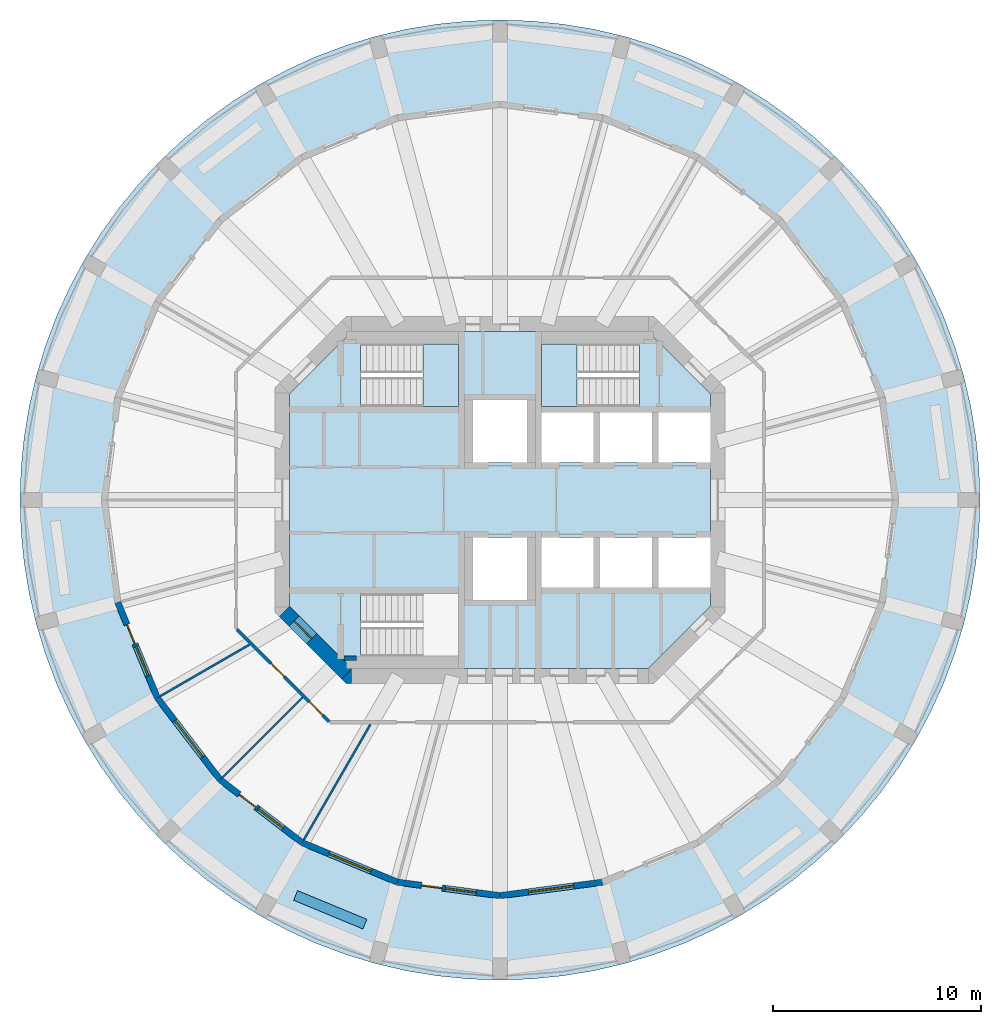
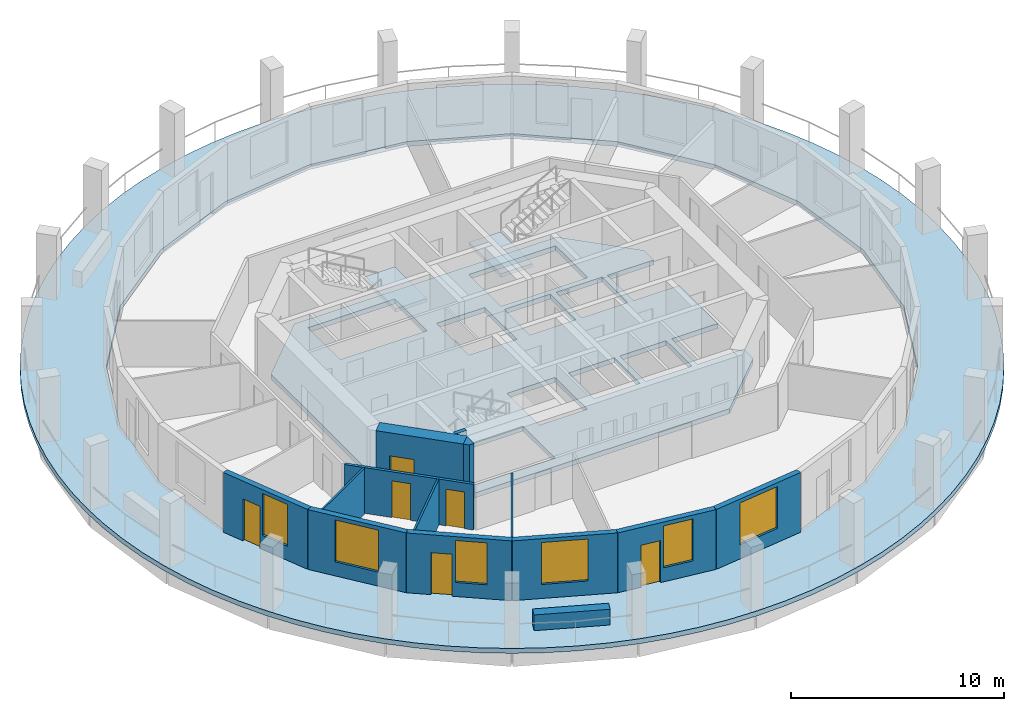
# One storey, part 2 of 9: 14 walls, 6 doors, 6 windows, 4 slabs, 12 openings, 2 elements without a shape of their own.
"""IFC4 building model written with IfcOpenShell, lengths in metres."""

from ifc_helpers import new_model, si_unit, direction, frame, frame_2d, origin, place, context, subcontext, project, spatial, polyline, rectangle, outline, extrude, material, layer, layer_set, type_object, element, fill, aggregate, save


model = new_model("IFC4")

# Units and contexts
model_context = context("Model", 3, precision=1e-05, world=origin(), true_north=direction((0.0, 1.0)))
body_context = subcontext(model_context, "Body", "Model", "MODEL_VIEW")
ifc_project = project(units=[si_unit("LENGTHUNIT", "METRE"), si_unit("AREAUNIT", "SQUARE_METRE"), si_unit("VOLUMEUNIT", "CUBIC_METRE"), si_unit("PLANEANGLEUNIT", "RADIAN"), si_unit("MASSUNIT", "GRAM", prefix="KILO")], contexts=[model_context])

# Site, building, storey
site_placement = place(None, origin())
site = spatial("IfcSite", under=ifc_project, at=site_placement, CompositionType="ELEMENT")
building_placement = place(site_placement, origin())
building = spatial("IfcBuilding", under=site, at=building_placement, Name="Torre Triforio", CompositionType="ELEMENT")
storey_placement = place(building_placement, frame((0.0, 0.0, 172.699951171875)))
storey = spatial("IfcBuildingStorey", under=building, at=storey_placement, Name="L39", CompositionType="ELEMENT", Elevation=172.699951171875)

# Slabs
ifc_material_1 = material(Name="Concrete C50", Category="concrete")
ifc_layer_1 = layer(ifc_material_1, 0.280029296875)
ifc_layer_set_1 = layer_set([ifc_layer_1], Name="Concrete C50")
slab_type_1 = type_object("IfcSlabType", Name="Core floor slab 280 mm C50 REI 120", PredefinedType="FLOOR", material=ifc_layer_set_1)
slab_1_placement = place(storey_placement, frame((0.0, 0.0, -0.280029296875)))
element("IfcSlab", 1, at=slab_1_placement, inside=storey, type_object=slab_type_1, Name="Core floor slab", PredefinedType="FLOOR", context=body_context, shape_type="SweptSolid", body=[
    extrude(outline(polyline([(10.10009765625, -5.10009765625), (7.10009765625, -8.10009765625), (-7.10009765625, -8.10009765625), (-10.10009765625, -5.10009765625), (-10.10009765625, 5.10009765625), (-7.10009765625, 8.10009765625), (7.10009765625, 8.10009765625), (10.10009765625, 5.10009765625), (10.10009765625, 4.199951171875), (7.60009765625, 4.199951171875), (7.60009765625, 1.800048828125), (10.10009765625, 1.800048828125), (10.10009765625, -1.800048828125), (7.60009765625, -1.800048828125), (7.60009765625, -4.199951171875), (10.10009765625, -4.199951171875), (10.10009765625, -5.10009765625)]), holes=[polyline([(-6.696044921875, -4.5), (-6.696044921875, -7.5), (-2.0, -7.5), (-2.0, -4.5), (-6.696044921875, -4.5)]), polyline([(-1.300048828125, -1.800048828125), (-1.300048828125, -4.800048828125), (1.300048828125, -4.800048828125), (1.300048828125, -1.800048828125), (-1.300048828125, -1.800048828125)]), polyline([(2.0, -1.800048828125), (2.0, -4.199951171875), (4.5, -4.199951171875), (4.5, -1.800048828125), (2.0, -1.800048828125)]), polyline([(4.5, 4.199951171875), (2.0, 4.199951171875), (2.0, 1.800048828125), (4.5, 1.800048828125), (4.5, 4.199951171875)]), polyline([(1.300048828125, 4.800048828125), (-1.300048828125, 4.800048828125), (-1.300048828125, 1.800048828125), (1.300048828125, 1.800048828125), (1.300048828125, 4.800048828125)]), polyline([(-6.696044921875, 7.5), (-6.696044921875, 4.5), (-2.0, 4.5), (-2.0, 7.5), (-6.696044921875, 7.5)]), polyline([(7.300048828125, -1.800048828125), (4.800048828125, -1.800048828125), (4.800048828125, -4.199951171875), (7.300048828125, -4.199951171875), (7.300048828125, -1.800048828125)]), polyline([(4.800048828125, 4.199951171875), (4.800048828125, 1.800048828125), (7.300048828125, 1.800048828125), (7.300048828125, 4.199951171875), (4.800048828125, 4.199951171875)]), polyline([(6.696044921875, 7.5), (2.0, 7.5), (2.0, 4.5), (6.696044921875, 4.5), (6.696044921875, 7.5)])]), origin(), (0.0, 0.0, 1.0), 0.280029296875),
])
ifc_material_2 = material(Name="Concrete C40", Category="concrete")
ifc_layer_2 = layer(ifc_material_2, 0.280029296875)
ifc_layer_set_2 = layer_set([ifc_layer_2], Name="Concrete C40")
slab_type_2 = type_object("IfcSlabType", Name="Loggia slab 280 C40", PredefinedType="FLOOR", material=ifc_layer_set_2)
slab_2_placement = place(storey_placement, frame((0.0, 0.0, -0.280029296875)))
element("IfcSlab", 2, at=slab_2_placement, inside=storey, type_object=slab_type_2, Name="SL.L39.LG", PredefinedType="FLOOR", context=body_context, shape_type="SweptSolid", body=[
    extrude(outline(polyline([(23.000732421875, -1.507568359375), (23.050048828125, 0.0), (23.000732421875, 1.507568359375), (22.852783203125, 3.008544921875), (22.607177734375, 4.496826171875), (22.2646484375, 5.9658203125), (21.82666015625, 7.4091796875), (21.29541015625, 8.82080078125), (20.6728515625, 10.19482421875), (19.9619140625, 11.52490234375), (19.165283203125, 12.805908203125), (18.286865234375, 14.031982421875), (17.329833984375, 15.197998046875), (16.298828125, 16.298828125), (15.197998046875, 17.329833984375), (14.031982421875, 18.286865234375), (12.805908203125, 19.165283203125), (11.52490234375, 19.9619140625), (10.19482421875, 20.6728515625), (8.82080078125, 21.29541015625), (7.4091796875, 21.82666015625), (5.9658203125, 22.2646484375), (4.496826171875, 22.607177734375), (3.008544921875, 22.852783203125), (1.507568359375, 23.000732421875), (0.0, 23.050048828125), (-1.507568359375, 23.000732421875), (-3.008544921875, 22.852783203125), (-4.496826171875, 22.607177734375), (-5.9658203125, 22.2646484375), (-7.4091796875, 21.82666015625), (-8.82080078125, 21.29541015625), (-10.19482421875, 20.6728515625), (-11.52490234375, 19.9619140625), (-12.805908203125, 19.165283203125), (-14.031982421875, 18.286865234375), (-15.197998046875, 17.329833984375), (-16.298828125, 16.298828125), (-17.329833984375, 15.197998046875), (-18.286865234375, 14.031982421875), (-19.165283203125, 12.805908203125), (-19.9619140625, 11.52490234375), (-20.6728515625, 10.19482421875), (-21.29541015625, 8.82080078125), (-21.82666015625, 7.4091796875), (-22.2646484375, 5.9658203125), (-22.607177734375, 4.496826171875), (-22.852783203125, 3.008544921875), (-23.000732421875, 1.507568359375), (-23.050048828125, 0.0), (-23.000732421875, -1.507568359375), (-22.852783203125, -3.008544921875), (-22.607177734375, -4.496826171875), (-22.2646484375, -5.9658203125), (-21.82666015625, -7.4091796875), (-21.29541015625, -8.82080078125), (-20.6728515625, -10.19482421875), (-19.9619140625, -11.52490234375), (-19.165283203125, -12.805908203125), (-18.286865234375, -14.031982421875), (-17.329833984375, -15.197998046875), (-16.298828125, -16.298828125), (-15.197998046875, -17.329833984375), (-14.031982421875, -18.286865234375), (-12.805908203125, -19.165283203125), (-11.52490234375, -19.9619140625), (-10.19482421875, -20.6728515625), (-8.82080078125, -21.29541015625), (-7.4091796875, -21.82666015625), (-5.9658203125, -22.2646484375), (-4.496826171875, -22.607177734375), (-3.008544921875, -22.852783203125), (-1.507568359375, -23.000732421875), (0.0, -23.050048828125), (1.507568359375, -23.000732421875), (3.008544921875, -22.852783203125), (4.496826171875, -22.607177734375), (5.9658203125, -22.2646484375), (7.4091796875, -21.82666015625), (8.82080078125, -21.29541015625), (10.19482421875, -20.6728515625), (11.52490234375, -19.9619140625), (12.805908203125, -19.165283203125), (14.031982421875, -18.286865234375), (15.197998046875, -17.329833984375), (16.298828125, -16.298828125), (17.329833984375, -15.197998046875), (18.286865234375, -14.031982421875), (19.165283203125, -12.805908203125), (19.9619140625, -11.52490234375), (20.6728515625, -10.19482421875), (21.29541015625, -8.82080078125), (21.82666015625, -7.4091796875), (22.2646484375, -5.9658203125), (22.607177734375, -4.496826171875), (22.852783203125, -3.008544921875), (23.000732421875, -1.507568359375)]), holes=[polyline([(18.3525390625, 4.91748046875), (19.0, 0.0), (18.3525390625, -4.91748046875), (16.45458984375, -9.5), (13.43505859375, -13.43505859375), (9.5, -16.45458984375), (4.91748046875, -18.3525390625), (0.0, -19.0), (-4.91748046875, -18.3525390625), (-9.5, -16.45458984375), (-13.43505859375, -13.43505859375), (-16.45458984375, -9.5), (-18.3525390625, -4.91748046875), (-19.0, 0.0), (-18.3525390625, 4.91748046875), (-16.45458984375, 9.5), (-13.43505859375, 13.43505859375), (-9.5, 16.45458984375), (-4.91748046875, 18.3525390625), (0.0, 19.0), (4.91748046875, 18.3525390625), (9.5, 16.45458984375), (13.43505859375, 13.43505859375), (16.45458984375, 9.5), (18.3525390625, 4.91748046875)])]), origin(), (0.0, 0.0, 1.0), 0.280029296875),
])

# Stair, slab
stair_type = type_object("IfcStairType", Name="STAIR HALF-TURN", PredefinedType="HALF_TURN_STAIR", material=ifc_material_2)
stair_1_placement = place(storey_placement, origin())
stair_1 = element("IfcStair", 3, at=stair_1_placement, inside=storey, type_object=stair_type, Name="Exit stair 1", PredefinedType="HALF_TURN_STAIR")
ifc_layer_3 = layer(ifc_material_2, 0.199951171875)
ifc_layer_set_3 = layer_set([ifc_layer_3], Name="Concrete C40")
slab_type_3 = type_object("IfcSlabType", Name="STAIR LANDING 200", PredefinedType="LANDING", material=ifc_layer_set_3)
slab_3_placement = place(storey_placement, frame((0.0, 0.0, 1.650146484375)))
slab_3 = element("IfcSlab", 4, at=slab_3_placement, type_object=slab_type_3, Name="ST1 landing 1", PredefinedType="LANDING", context=body_context, shape_type="SweptSolid", body=[
    extrude(outline(polyline([(-2.0, 4.5), (-2.0, 7.5), (-3.699951171875, 7.5), (-3.699951171875, 4.5), (-2.0, 4.5)])), origin(), (0.0, 0.0, 1.0), 0.199951171875),
])
aggregate(stair_1, [slab_3])

stair_2_placement = place(storey_placement, origin())
stair_2 = element("IfcStair", 5, at=stair_2_placement, inside=storey, type_object=stair_type, Name="Exit stair 2", PredefinedType="HALF_TURN_STAIR")
slab_4_placement = place(storey_placement, frame((0.0, 0.0, 1.650146484375)))
slab_4 = element("IfcSlab", 6, at=slab_4_placement, type_object=slab_type_3, Name="ST2 landing 1", PredefinedType="LANDING", context=body_context, shape_type="SweptSolid", body=[
    extrude(outline(polyline([(3.699951171875, 4.5), (3.699951171875, 7.5), (2.0, 7.5), (2.0, 4.5), (3.699951171875, 4.5)])), origin(), (0.0, 0.0, 1.0), 0.199951171875),
])
aggregate(stair_2, [slab_4])

# Wall, opening, door
ifc_layer_4 = layer(ifc_material_1, 0.699951171875)
ifc_layer_set_4 = layer_set([ifc_layer_4], Name="Concrete C50")
wall_type_1 = type_object("IfcWallType", Name="Core wall 700 mm C50 EI 120", PredefinedType="SHEAR", material=ifc_layer_set_4)
wall_1_placement = place(storey_placement, frame((-7.347412109375, -8.347412109375, -0.280029296875), z_axis=(0.0, 0.0, 1.0), x_axis=(-0.707106781187, 0.707106781187, 0.0)))
wall_1 = element("IfcWall", 7, at=wall_1_placement, inside=storey, type_object=wall_type_1, Name="Core wall", PredefinedType="SHEAR", context=body_context, shape_type="SweptSolid", body=[
    extrude(rectangle(XDim=4.24267578125, YDim=0.699951171875, at=frame_2d((2.121337890625, 0.0))), origin(), (0.0, 0.0, 1.0), 3.7001953125),
])
opening_1_placement = place(wall_1_placement, frame((2.392578125, 0.0, 0.280029296875)))
opening_1 = element("IfcOpeningElement", 8, at=opening_1_placement, cuts=wall_1, Name="Opening ST3-EXIT", PredefinedType="OPENING", context=body_context, shape_type="SweptSolid", body=[
    extrude(rectangle(XDim=1.199951171875, YDim=2.10009765625, at=frame_2d((0.60009765625, 1.050048828125))), frame((0.0, 0.35986328125, 0.0), z_axis=(0.0, -1.0, 0.0), x_axis=(1.0, 0.0, 0.0)), (0.0, 0.0, 1.0), 0.719970703125),
])
ifc_material_3 = material(Name="Hollow metal fire door leaf")
door_type_1 = type_object("IfcDoorType", Name="Stair lobby door 1200 x 2100 EI 60", OperationType="NOTDEFINED", PredefinedType="DOOR", material=ifc_material_3)
door_1_placement = place(opening_1_placement, origin())
door_1 = element("IfcDoor", 9, at=door_1_placement, inside=storey, type_object=door_type_1, Name="Core door ST3-EXIT", OperationType="SINGLE_SWING_RIGHT", OverallHeight=2.10009765625, OverallWidth=1.199951171875, PredefinedType="DOOR", context=body_context, shape_type="SweptSolid", body=[
    extrude(rectangle(XDim=1.199951171875, YDim=2.10009765625, at=frame_2d((0.60009765625, 1.050048828125))), frame((0.0, 0.02490234375, 0.0), z_axis=(0.0, -1.0, 0.0), x_axis=(1.0, 0.0, 0.0)), (0.0, 0.0, 1.0), 0.050048828125),
])
fill(opening_1, door_1)

# Wall
wall_2_placement = place(storey_placement, frame((0.0, 0.0, -0.280029296875)))
element("IfcWall", 10, at=wall_2_placement, inside=storey, type_object=wall_type_1, Name="Core wall", PredefinedType="SHEAR", context=body_context, shape_type="SweptSolid", body=[
    extrude(outline(polyline([(-7.389892578125, -8.800048828125), (-7.594970703125, -8.594970703125), (-7.594970703125, -8.594970703125), (-7.594970703125, -8.594970703125), (-7.1298828125, -8.1298828125), (-7.1298828125, -8.800048828125), (-7.1298828125, -8.800048828125), (-7.389892578125, -8.800048828125)])), origin(), (0.0, 0.0, 1.0), 3.7001953125),
])

# Wall, openings, doors
ifc_material_4 = material(Name="Plasterboard on metal studs")
ifc_layer_5 = layer(ifc_material_4, 0.14990234375)
ifc_layer_set_5 = layer_set([ifc_layer_5], Name="Plasterboard on metal studs")
wall_type_2 = type_object("IfcWallType", Name="Corridor and tenancy wall 150 mm EI 60", PredefinedType="PARTITIONING", material=ifc_layer_set_5)
wall_3_placement = place(storey_placement, frame((-8.20361328125, -10.637939453125, 0.0), z_axis=(0.0, 0.0, 1.0), x_axis=(-0.707106781187, 0.707106781187, 0.0)))
wall_3 = element("IfcWall", 11, at=wall_3_placement, inside=storey, type_object=wall_type_2, Name="Partition 3", PredefinedType="PARTITIONING", context=body_context, shape_type="SweptSolid", body=[
    extrude(rectangle(XDim=6.27099609375, YDim=0.14990234375, at=frame_2d((3.135498046875, 0.0))), origin(), (0.0, 0.0, 1.0), 2.6201171875),
])
opening_2_placement = place(wall_3_placement, frame((3.056884765625, 0.0, 0.0)))
opening_2 = element("IfcOpeningElement", 12, at=opening_2_placement, cuts=wall_3, Name="Opening O2-06", PredefinedType="OPENING", context=body_context, shape_type="SweptSolid", body=[
    extrude(rectangle(XDim=0.89990234375, YDim=2.10009765625, at=frame_2d((0.449951171875, 1.050048828125))), frame((0.0, 0.0849609375, 0.0), z_axis=(0.0, -1.0, 0.0), x_axis=(1.0, 0.0, 0.0)), (0.0, 0.0, 1.0), 0.169921875),
])
opening_3_placement = place(wall_3_placement, frame((0.435546875, 0.0, 0.0)))
opening_3 = element("IfcOpeningElement", 13, at=opening_3_placement, cuts=wall_3, Name="Opening O2-07", PredefinedType="OPENING", context=body_context, shape_type="SweptSolid", body=[
    extrude(rectangle(XDim=0.89990234375, YDim=2.10009765625, at=frame_2d((0.449951171875, 1.050048828125))), frame((0.0, 0.0849609375, 0.0), z_axis=(0.0, -1.0, 0.0), x_axis=(1.0, 0.0, 0.0)), (0.0, 0.0, 1.0), 0.169921875),
])
ifc_material_5 = material(Name="Timber", Category="wood")
door_type_2 = type_object("IfcDoorType", Name="Door 900 x 2100 single leaf EI 30", OperationType="NOTDEFINED", PredefinedType="DOOR", material=ifc_material_5)
door_2_placement = place(opening_2_placement, origin())
door_2 = element("IfcDoor", 14, at=door_2_placement, inside=storey, type_object=door_type_2, Name="Door O2-06", OperationType="SINGLE_SWING_LEFT", OverallHeight=2.10009765625, OverallWidth=0.89990234375, PredefinedType="DOOR", context=body_context, shape_type="SweptSolid", body=[
    extrude(rectangle(XDim=0.89990234375, YDim=2.10009765625, at=frame_2d((0.449951171875, 1.050048828125))), frame((0.0, 0.02490234375, 0.0), z_axis=(0.0, -1.0, 0.0), x_axis=(1.0, 0.0, 0.0)), (0.0, 0.0, 1.0), 0.050048828125),
])
fill(opening_2, door_2)
door_3_placement = place(opening_3_placement, origin())
door_3 = element("IfcDoor", 15, at=door_3_placement, inside=storey, type_object=door_type_2, Name="Door O2-07", OperationType="SINGLE_SWING_LEFT", OverallHeight=2.10009765625, OverallWidth=0.89990234375, PredefinedType="DOOR", context=body_context, shape_type="SweptSolid", body=[
    extrude(rectangle(XDim=0.89990234375, YDim=2.10009765625, at=frame_2d((0.449951171875, 1.050048828125))), frame((0.0, 0.02490234375, 0.0), z_axis=(0.0, -1.0, 0.0), x_axis=(1.0, 0.0, 0.0)), (0.0, 0.0, 1.0), 0.050048828125),
])
fill(opening_3, door_3)

# Walls
ifc_layer_6 = layer(ifc_material_4, 0.10009765625)
ifc_layer_set_6 = layer_set([ifc_layer_6], Name="Plasterboard on metal studs")
wall_type_3 = type_object("IfcWallType", Name="Partition 100 mm board on metal studs", PredefinedType="PARTITIONING", material=ifc_layer_set_6)
wall_4_placement = place(storey_placement, frame((-12.025146484375, -6.94287109375, 0.0), z_axis=(0.0, 0.0, 1.0), x_axis=(-0.866025463095, -0.499999897272, 0.0)))
element("IfcWall", 16, at=wall_4_placement, inside=storey, type_object=wall_type_3, Name="Partition 21", PredefinedType="PARTITIONING", context=body_context, shape_type="SweptSolid", body=[
    extrude(rectangle(XDim=4.951171875, YDim=0.10009765625, at=frame_2d((2.4755859375, 0.0))), origin(), (0.0, 0.0, 1.0), 2.6201171875),
])
wall_5_placement = place(storey_placement, frame((-9.473876953125, -9.473876953125, 0.0), z_axis=(0.0, 0.0, 1.0), x_axis=(-0.707106781187, -0.707106781187, 0.0)))
element("IfcWall", 17, at=wall_5_placement, inside=storey, type_object=wall_type_3, Name="Partition 22", PredefinedType="PARTITIONING", context=body_context, shape_type="SweptSolid", body=[
    extrude(rectangle(XDim=5.438720703125, YDim=0.10009765625, at=frame_2d((2.71923828125, 0.0))), origin(), (0.0, 0.0, 1.0), 2.6201171875),
])
wall_6_placement = place(storey_placement, frame((-6.220703125, -10.774658203125, 0.0), z_axis=(0.0, 0.0, 1.0), x_axis=(-0.500023166934, -0.866012027936, 0.0)))
element("IfcWall", 18, at=wall_6_placement, inside=storey, type_object=wall_type_3, Name="Partition 23", PredefinedType="PARTITIONING", context=body_context, shape_type="SweptSolid", body=[
    extrude(rectangle(XDim=6.395263671875, YDim=0.10009765625, at=frame_2d((3.19775390625, 0.0))), origin(), (0.0, 0.0, 1.0), 2.6201171875),
])
ifc_material_6 = material(Name="Limestone cladding", Category="masonry")
ifc_layer_7 = layer(ifc_material_6, 0.10009765625)
ifc_layer_8 = layer(ifc_material_2, 0.39990234375)
ifc_layer_set_7 = layer_set([ifc_layer_7, ifc_layer_8], Name="Limestone cladding / Concrete C40")
wall_type_4 = type_object("IfcWallType", Name="Planter wall 500", PredefinedType="PARAPET", material=ifc_layer_set_7)
wall_7_placement = place(storey_placement, frame((-9.814208984375, -18.98974609375, 0.0), z_axis=(0.0, 0.0, 1.0), x_axis=(0.923875488976, -0.382693194178, 0.0)))
element("IfcWall", 19, at=wall_7_placement, inside=storey, type_object=wall_type_4, Name="Planter L39 bay 17", PredefinedType="PARAPET", context=body_context, shape_type="SweptSolid", body=[
    extrude(rectangle(XDim=3.599853515625, YDim=0.5, at=frame_2d((1.7998046875, 0.0))), origin(), (0.0, 0.0, 1.0), 0.900146484375),
])
ifc_layer_9 = layer(ifc_material_1, 0.199951171875)
ifc_layer_set_8 = layer_set([ifc_layer_9], Name="Concrete C50")
wall_type_5 = type_object("IfcWallType", Name="Stair wall 200 mm C50 EI 120", PredefinedType="SHEAR", material=ifc_layer_set_8)
wall_8_placement = place(storey_placement, frame((-7.5, -7.60009765625, 0.0), z_axis=(0.0, 0.0, 1.0), x_axis=(1.0, 0.0, 0.0)))
element("IfcWall", 20, at=wall_8_placement, inside=storey, type_object=wall_type_5, Name="Stair wall", PredefinedType="SHEAR", context=body_context, shape_type="SweptSolid", body=[
    extrude(rectangle(XDim=0.60009765625, YDim=0.199951171875, at=frame_2d((0.300048828125, 0.0))), origin(), (0.0, 0.0, 1.0), 3.420166015625),
])

# Wall, openings, door, window
ifc_layer_10 = layer(ifc_material_6, 0.10009765625)
ifc_layer_11 = layer(ifc_material_2, 0.199951171875)
ifc_layer_set_9 = layer_set([ifc_layer_10, ifc_layer_11], Name="Limestone cladding / Concrete C40")
wall_type_6 = type_object("IfcWallType", Name="Stone-faced composite wall 300", PredefinedType="STANDARD", material=ifc_layer_set_9)
wall_9_placement = place(storey_placement, frame((-18.3525390625, -4.91748046875, 0.0), z_axis=(0.0, 0.0, 1.0), x_axis=(0.382650301762, -0.923893254961, 0.0)))
wall_9 = element("IfcWall", 21, at=wall_9_placement, inside=storey, type_object=wall_type_6, Name="External wall L39 bay 14", PredefinedType="STANDARD", context=body_context, shape_type="SweptSolid", body=[
    extrude(rectangle(XDim=4.9599609375, YDim=0.300048828125, at=frame_2d((2.47998046875, 0.0))), origin(), (0.0, 0.0, 1.0), 3.420166015625),
])
opening_4_placement = place(wall_9_placement, frame((1.155029296875, 0.0, 0.0)))
opening_4 = element("IfcOpeningElement", 22, at=opening_4_placement, cuts=wall_9, Name="Opening O2-D14", PredefinedType="OPENING", context=body_context, shape_type="SweptSolid", body=[
    extrude(rectangle(XDim=1.0, YDim=2.39990234375, at=frame_2d((0.5, 1.199951171875))), frame((0.0, 0.159912109375, 0.0), z_axis=(0.0, -1.0, 0.0), x_axis=(1.0, 0.0, 0.0)), (0.0, 0.0, 1.0), 0.320068359375),
])
opening_5_placement = place(wall_9_placement, frame((2.304931640625, 0.0, 0.800048828125)))
opening_5 = element("IfcOpeningElement", 23, at=opening_5_placement, cuts=wall_9, Name="Opening O2-W14A", PredefinedType="OPENING", context=body_context, shape_type="SweptSolid", body=[
    extrude(rectangle(XDim=1.5, YDim=2.39990234375, at=frame_2d((0.75, 1.199951171875))), frame((0.0, 0.159912109375, 0.0), z_axis=(0.0, -1.0, 0.0), x_axis=(1.0, 0.0, 0.0)), (0.0, 0.0, 1.0), 0.320068359375),
])
ifc_material_7 = material(Name="Aluminium frame with clear double glazing", Category="aluminium")
door_type_3 = type_object("IfcDoorType", Name="Loggia door 1000 x 2400", OperationType="NOTDEFINED", PredefinedType="DOOR", material=ifc_material_7)
door_4_placement = place(opening_4_placement, origin())
door_4 = element("IfcDoor", 24, at=door_4_placement, inside=storey, type_object=door_type_3, Name="Loggia door L39 bay 14", OperationType="SINGLE_SWING_LEFT", OverallHeight=2.39990234375, OverallWidth=1.0, PredefinedType="DOOR", context=body_context, shape_type="SweptSolid", body=[
    extrude(rectangle(XDim=1.0, YDim=2.39990234375, at=frame_2d((0.5, 1.199951171875))), frame((0.0, 0.02490234375, 0.0), z_axis=(0.0, -1.0, 0.0), x_axis=(1.0, 0.0, 0.0)), (0.0, 0.0, 1.0), 0.050048828125),
])
fill(opening_4, door_4)
window_type_1 = type_object("IfcWindowType", Name="Side window 1500 x 2400", PartitioningType="SINGLE_PANEL", PredefinedType="WINDOW", material=ifc_material_7)
window_1_placement = place(opening_5_placement, origin())
window_1 = element("IfcWindow", 25, at=window_1_placement, inside=storey, type_object=window_type_1, Name="Side window EWN14 L39 bay 14", OverallHeight=2.39990234375, OverallWidth=1.5, PartitioningType="SINGLE_PANEL", PredefinedType="WINDOW", context=body_context, shape_type="SweptSolid", body=[
    extrude(rectangle(XDim=1.5, YDim=2.39990234375, at=frame_2d((0.75, 1.199951171875))), frame((0.0, 0.030029296875, 0.0), z_axis=(0.0, -1.0, 0.0), x_axis=(1.0, 0.0, 0.0)), (0.0, 0.0, 1.0), 0.06005859375),
])
fill(opening_5, window_1)

# Wall, opening, window
wall_10_placement = place(storey_placement, frame((-16.45458984375, -9.5, 0.0), z_axis=(0.0, 0.0, 1.0), x_axis=(0.608768356425, -0.793348024649, 0.0)))
wall_10 = element("IfcWall", 26, at=wall_10_placement, inside=storey, type_object=wall_type_6, Name="External wall L39 bay 15", PredefinedType="STANDARD", context=body_context, shape_type="SweptSolid", body=[
    extrude(rectangle(XDim=4.9599609375, YDim=0.300048828125, at=frame_2d((2.47998046875, 0.0))), origin(), (0.0, 0.0, 1.0), 3.420166015625),
])
opening_6_placement = place(wall_10_placement, frame((1.3798828125, 0.0, 0.800048828125)))
opening_6 = element("IfcOpeningElement", 27, at=opening_6_placement, cuts=wall_10, Name="Opening O2-W15", PredefinedType="OPENING", context=body_context, shape_type="SweptSolid", body=[
    extrude(rectangle(XDim=2.199951171875, YDim=2.39990234375, at=frame_2d((1.10009765625, 1.199951171875))), frame((0.0, 0.159912109375, 0.0), z_axis=(0.0, -1.0, 0.0), x_axis=(1.0, 0.0, 0.0)), (0.0, 0.0, 1.0), 0.320068359375),
])
window_type_2 = type_object("IfcWindowType", Name="Punched window 2200 x 2400", PartitioningType="DOUBLE_PANEL_VERTICAL", PredefinedType="WINDOW", material=ifc_material_7)
window_2_placement = place(opening_6_placement, origin())
window_2 = element("IfcWindow", 28, at=window_2_placement, inside=storey, type_object=window_type_2, Name="Window EWN5 L39 bay 15", OverallHeight=2.39990234375, OverallWidth=2.199951171875, PartitioningType="SINGLE_PANEL", PredefinedType="WINDOW", context=body_context, shape_type="SweptSolid", body=[
    extrude(rectangle(XDim=2.199951171875, YDim=2.39990234375, at=frame_2d((1.10009765625, 1.199951171875))), frame((0.0, 0.030029296875, 0.0), z_axis=(0.0, -1.0, 0.0), x_axis=(1.0, 0.0, 0.0)), (0.0, 0.0, 1.0), 0.06005859375),
])
fill(opening_6, window_2)

# Wall, openings, door, window
wall_11_placement = place(storey_placement, frame((-13.43505859375, -13.43505859375, 0.0), z_axis=(0.0, 0.0, 1.0), x_axis=(0.793348024649, -0.608768356425, 0.0)))
wall_11 = element("IfcWall", 29, at=wall_11_placement, inside=storey, type_object=wall_type_6, Name="External wall L39 bay 16", PredefinedType="STANDARD", context=body_context, shape_type="SweptSolid", body=[
    extrude(rectangle(XDim=4.9599609375, YDim=0.300048828125, at=frame_2d((2.47998046875, 0.0))), origin(), (0.0, 0.0, 1.0), 3.420166015625),
])
opening_7_placement = place(wall_11_placement, frame((1.155029296875, 0.0, 0.0)))
opening_7 = element("IfcOpeningElement", 30, at=opening_7_placement, cuts=wall_11, Name="Opening O2-D16", PredefinedType="OPENING", context=body_context, shape_type="SweptSolid", body=[
    extrude(rectangle(XDim=1.0, YDim=2.39990234375, at=frame_2d((0.5, 1.199951171875))), frame((0.0, 0.159912109375, 0.0), z_axis=(0.0, -1.0, 0.0), x_axis=(1.0, 0.0, 0.0)), (0.0, 0.0, 1.0), 0.320068359375),
])
opening_8_placement = place(wall_11_placement, frame((2.304931640625, 0.0, 0.800048828125)))
opening_8 = element("IfcOpeningElement", 31, at=opening_8_placement, cuts=wall_11, Name="Opening O2-W16A", PredefinedType="OPENING", context=body_context, shape_type="SweptSolid", body=[
    extrude(rectangle(XDim=1.5, YDim=2.39990234375, at=frame_2d((0.75, 1.199951171875))), frame((0.0, 0.159912109375, 0.0), z_axis=(0.0, -1.0, 0.0), x_axis=(1.0, 0.0, 0.0)), (0.0, 0.0, 1.0), 0.320068359375),
])
door_5_placement = place(opening_7_placement, origin())
door_5 = element("IfcDoor", 32, at=door_5_placement, inside=storey, type_object=door_type_3, Name="Loggia door L39 bay 16", OperationType="SINGLE_SWING_LEFT", OverallHeight=2.39990234375, OverallWidth=1.0, PredefinedType="DOOR", context=body_context, shape_type="SweptSolid", body=[
    extrude(rectangle(XDim=1.0, YDim=2.39990234375, at=frame_2d((0.5, 1.199951171875))), frame((0.0, 0.02490234375, 0.0), z_axis=(0.0, -1.0, 0.0), x_axis=(1.0, 0.0, 0.0)), (0.0, 0.0, 1.0), 0.050048828125),
])
fill(opening_7, door_5)
window_3_placement = place(opening_8_placement, origin())
window_3 = element("IfcWindow", 33, at=window_3_placement, inside=storey, type_object=window_type_1, Name="Side window EWN14 L39 bay 16", OverallHeight=2.39990234375, OverallWidth=1.5, PartitioningType="SINGLE_PANEL", PredefinedType="WINDOW", context=body_context, shape_type="SweptSolid", body=[
    extrude(rectangle(XDim=1.5, YDim=2.39990234375, at=frame_2d((0.75, 1.199951171875))), frame((0.0, 0.030029296875, 0.0), z_axis=(0.0, -1.0, 0.0), x_axis=(1.0, 0.0, 0.0)), (0.0, 0.0, 1.0), 0.06005859375),
])
fill(opening_8, window_3)

# Wall, opening, window
wall_12_placement = place(storey_placement, frame((-9.5, -16.45458984375, 0.0), z_axis=(0.0, 0.0, 1.0), x_axis=(0.923893254961, -0.382650301762, 0.0)))
wall_12 = element("IfcWall", 34, at=wall_12_placement, inside=storey, type_object=wall_type_6, Name="External wall L39 bay 17", PredefinedType="STANDARD", context=body_context, shape_type="SweptSolid", body=[
    extrude(rectangle(XDim=4.9599609375, YDim=0.300048828125, at=frame_2d((2.47998046875, 0.0))), origin(), (0.0, 0.0, 1.0), 3.420166015625),
])
opening_9_placement = place(wall_12_placement, frame((1.3798828125, 0.0, 0.800048828125)))
opening_9 = element("IfcOpeningElement", 35, at=opening_9_placement, cuts=wall_12, Name="Opening O2-W17", PredefinedType="OPENING", context=body_context, shape_type="SweptSolid", body=[
    extrude(rectangle(XDim=2.199951171875, YDim=2.39990234375, at=frame_2d((1.10009765625, 1.199951171875))), frame((0.0, 0.159912109375, 0.0), z_axis=(0.0, -1.0, 0.0), x_axis=(1.0, 0.0, 0.0)), (0.0, 0.0, 1.0), 0.320068359375),
])
window_4_placement = place(opening_9_placement, origin())
window_4 = element("IfcWindow", 36, at=window_4_placement, inside=storey, type_object=window_type_2, Name="Window EWN5 L39 bay 17", OverallHeight=2.39990234375, OverallWidth=2.199951171875, PartitioningType="SINGLE_PANEL", PredefinedType="WINDOW", context=body_context, shape_type="SweptSolid", body=[
    extrude(rectangle(XDim=2.199951171875, YDim=2.39990234375, at=frame_2d((1.10009765625, 1.199951171875))), frame((0.0, 0.030029296875, 0.0), z_axis=(0.0, -1.0, 0.0), x_axis=(1.0, 0.0, 0.0)), (0.0, 0.0, 1.0), 0.06005859375),
])
fill(opening_9, window_4)

# Wall, openings, door, window
wall_13_placement = place(storey_placement, frame((-4.91748046875, -18.3525390625, 0.0), z_axis=(0.0, 0.0, 1.0), x_axis=(0.991443234469, -0.130538549191, 0.0)))
wall_13 = element("IfcWall", 37, at=wall_13_placement, inside=storey, type_object=wall_type_6, Name="External wall L39 bay 18", PredefinedType="STANDARD", context=body_context, shape_type="SweptSolid", body=[
    extrude(rectangle(XDim=4.9599609375, YDim=0.300048828125, at=frame_2d((2.47998046875, 0.0))), origin(), (0.0, 0.0, 1.0), 3.420166015625),
])
opening_10_placement = place(wall_13_placement, frame((1.155029296875, 0.0, 0.0)))
opening_10 = element("IfcOpeningElement", 38, at=opening_10_placement, cuts=wall_13, Name="Opening O2-D18", PredefinedType="OPENING", context=body_context, shape_type="SweptSolid", body=[
    extrude(rectangle(XDim=1.0, YDim=2.39990234375, at=frame_2d((0.5, 1.199951171875))), frame((0.0, 0.159912109375, 0.0), z_axis=(0.0, -1.0, 0.0), x_axis=(1.0, 0.0, 0.0)), (0.0, 0.0, 1.0), 0.320068359375),
])
opening_11_placement = place(wall_13_placement, frame((2.304931640625, 0.0, 0.800048828125)))
opening_11 = element("IfcOpeningElement", 39, at=opening_11_placement, cuts=wall_13, Name="Opening O2-W18A", PredefinedType="OPENING", context=body_context, shape_type="SweptSolid", body=[
    extrude(rectangle(XDim=1.5, YDim=2.39990234375, at=frame_2d((0.75, 1.199951171875))), frame((0.0, 0.159912109375, 0.0), z_axis=(0.0, -1.0, 0.0), x_axis=(1.0, 0.0, 0.0)), (0.0, 0.0, 1.0), 0.320068359375),
])
door_6_placement = place(opening_10_placement, origin())
door_6 = element("IfcDoor", 40, at=door_6_placement, inside=storey, type_object=door_type_3, Name="Loggia door L39 bay 18", OperationType="SINGLE_SWING_LEFT", OverallHeight=2.39990234375, OverallWidth=1.0, PredefinedType="DOOR", context=body_context, shape_type="SweptSolid", body=[
    extrude(rectangle(XDim=1.0, YDim=2.39990234375, at=frame_2d((0.5, 1.199951171875))), frame((0.0, 0.02490234375, 0.0), z_axis=(0.0, -1.0, 0.0), x_axis=(1.0, 0.0, 0.0)), (0.0, 0.0, 1.0), 0.050048828125),
])
fill(opening_10, door_6)
window_5_placement = place(opening_11_placement, origin())
window_5 = element("IfcWindow", 41, at=window_5_placement, inside=storey, type_object=window_type_1, Name="Side window EWN14 L39 bay 18", OverallHeight=2.39990234375, OverallWidth=1.5, PartitioningType="SINGLE_PANEL", PredefinedType="WINDOW", context=body_context, shape_type="SweptSolid", body=[
    extrude(rectangle(XDim=1.5, YDim=2.39990234375, at=frame_2d((0.75, 1.199951171875))), frame((0.0, 0.030029296875, 0.0), z_axis=(0.0, -1.0, 0.0), x_axis=(1.0, 0.0, 0.0)), (0.0, 0.0, 1.0), 0.06005859375),
])
fill(opening_11, window_5)

# Wall, opening, window
wall_14_placement = place(storey_placement, frame((0.0, -19.0, 0.0), z_axis=(0.0, 0.0, 1.0), x_axis=(0.991443234469, 0.130538549191, 0.0)))
wall_14 = element("IfcWall", 42, at=wall_14_placement, inside=storey, type_object=wall_type_6, Name="External wall L39 bay 19", PredefinedType="STANDARD", context=body_context, shape_type="SweptSolid", body=[
    extrude(rectangle(XDim=4.9599609375, YDim=0.300048828125, at=frame_2d((2.47998046875, 0.0))), origin(), (0.0, 0.0, 1.0), 3.420166015625),
])
opening_12_placement = place(wall_14_placement, frame((1.3798828125, 0.0, 0.800048828125)))
opening_12 = element("IfcOpeningElement", 43, at=opening_12_placement, cuts=wall_14, Name="Opening O2-W19", PredefinedType="OPENING", context=body_context, shape_type="SweptSolid", body=[
    extrude(rectangle(XDim=2.199951171875, YDim=2.39990234375, at=frame_2d((1.10009765625, 1.199951171875))), frame((0.0, 0.159912109375, 0.0), z_axis=(0.0, -1.0, 0.0), x_axis=(1.0, 0.0, 0.0)), (0.0, 0.0, 1.0), 0.320068359375),
])
window_6_placement = place(opening_12_placement, origin())
window_6 = element("IfcWindow", 44, at=window_6_placement, inside=storey, type_object=window_type_2, Name="Window EWN5 L39 bay 19", OverallHeight=2.39990234375, OverallWidth=2.199951171875, PartitioningType="SINGLE_PANEL", PredefinedType="WINDOW", context=body_context, shape_type="SweptSolid", body=[
    extrude(rectangle(XDim=2.199951171875, YDim=2.39990234375, at=frame_2d((1.10009765625, 1.199951171875))), frame((0.0, 0.030029296875, 0.0), z_axis=(0.0, -1.0, 0.0), x_axis=(1.0, 0.0, 0.0)), (0.0, 0.0, 1.0), 0.06005859375),
])
fill(opening_12, window_6)

save(model, "model.ifc")
